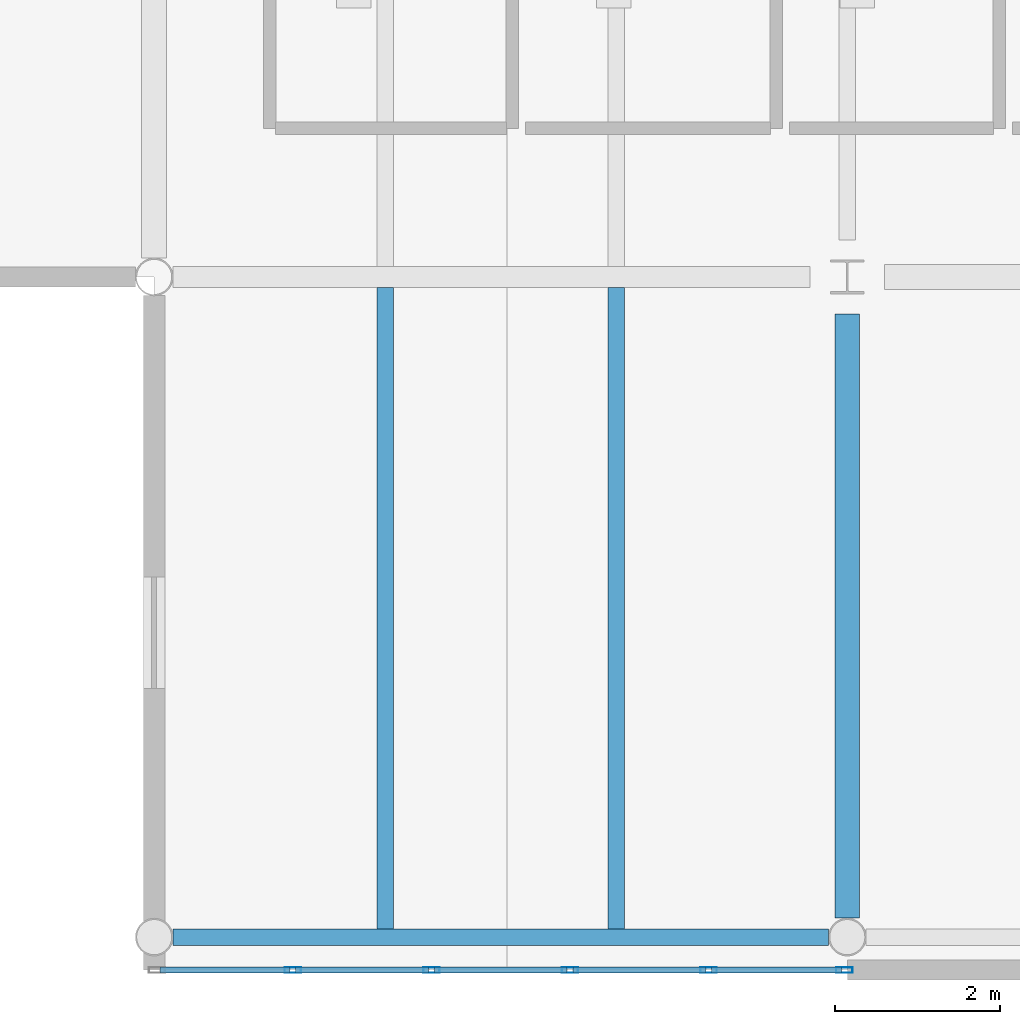
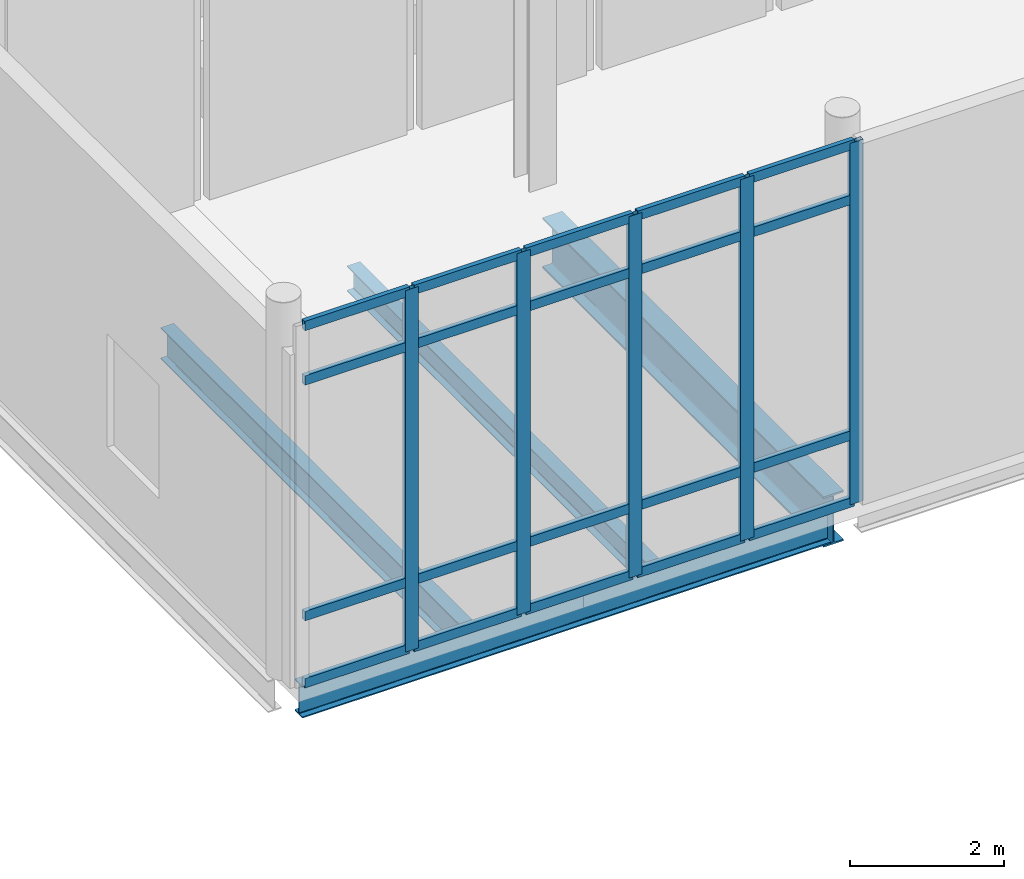
# One storey, part 26 of 85: 25 members, 4 beams, 1 element without a shape of its own.
"""IFC4 building model written with IfcOpenShell, lengths in metres."""

from ifc_helpers import new_model, si_unit, direction, frame, origin, origin_2d, place, context, subcontext, project, spatial, hollow_rectangle, i_section, extrude, material, layer, layer_set, material_profile, profile_set, type_object, element, aggregate, save


model = new_model("IFC4")

# Units and contexts
model_context = context("Model", 3, precision=1e-05, world=origin(), true_north=direction((0.0, 1.0)))
body_context = subcontext(model_context, "Body", "Model", "MODEL_VIEW")
ifc_project = project(units=[si_unit("LENGTHUNIT", "METRE"), si_unit("AREAUNIT", "SQUARE_METRE"), si_unit("VOLUMEUNIT", "CUBIC_METRE"), si_unit("PLANEANGLEUNIT", "RADIAN"), si_unit("MASSUNIT", "GRAM", prefix="KILO"), si_unit("THERMODYNAMICTEMPERATUREUNIT", "KELVIN")], contexts=[model_context])

# Site, building, storey
site_placement = place(None, origin())
site = spatial("IfcSite", under=ifc_project, at=site_placement, CompositionType="ELEMENT")
building_placement = place(site_placement, origin())
building = spatial("IfcBuilding", under=site, at=building_placement, Name="Lustrewick Department Store", CompositionType="ELEMENT")
storey_placement = place(building_placement, origin())
storey = spatial("IfcBuildingStorey", under=building, at=storey_placement, Name="L01", CompositionType="ELEMENT", Elevation=0.0)

# Beams
ifc_material_1 = material(Name="Structural steel Q355B", Category="steel")
ifc_material_profile_1 = material_profile(ifc_material_1, i_section(OverallWidth=0.199951171875, OverallDepth=0.5, WebThickness=0.010009765625, FlangeThickness=0.01611328125, FilletRadius=0.01611328125, at=origin_2d()), Name="HN 500x200x10x16")
ifc_profile_set_1 = profile_set([ifc_material_profile_1], Name="Structural steel Q355B")
beam_type_1 = type_object("IfcBeamType", Name="B01", PredefinedType="JOIST", material=ifc_profile_set_1)
beam_1_placement = place(storey_placement, frame((128.800048828125, 0.50048828125, -0.52001953125), z_axis=(0.0, 1.0, 0.0), x_axis=(-1.0, 0.0, 0.0)))
element("IfcBeam", 1, at=beam_1_placement, inside=storey, type_object=beam_type_1, Name="L01 V3 Secondary Joist B01", PredefinedType="JOIST", context=body_context, shape_type="SweptSolid", body=[
    extrude(i_section(OverallWidth=0.199951171875, OverallDepth=0.5, WebThickness=0.010009765625, FlangeThickness=0.01611328125, FilletRadius=0.01611328125, at=origin_2d()), origin(), (0.0, 0.0, 1.0), 7.7744140625),
])
ifc_material_profile_2 = material_profile(ifc_material_1, i_section(OverallWidth=0.199951171875, OverallDepth=0.39990234375, WebThickness=0.008056640625, FlangeThickness=0.012939453125, FilletRadius=0.013916015625, at=origin_2d()), Name="HN 400x200x8x13")
ifc_profile_set_2 = profile_set([ifc_material_profile_2], Name="Structural steel Q355B")
beam_type_2 = type_object("IfcBeamType", Name="B05", PredefinedType="JOIST", material=ifc_profile_set_2)
beam_2_placement = place(storey_placement, frame((131.60009765625, 0.50048828125, -0.469970703125), z_axis=(0.0, 1.0, 0.0), x_axis=(-1.0, 0.0, 0.0)))
element("IfcBeam", 2, at=beam_2_placement, inside=storey, type_object=beam_type_2, Name="L01 V3 Secondary Joist B05", PredefinedType="JOIST", context=body_context, shape_type="SweptSolid", body=[
    extrude(i_section(OverallWidth=0.199951171875, OverallDepth=0.39990234375, WebThickness=0.008056640625, FlangeThickness=0.012939453125, FilletRadius=0.013916015625, at=origin_2d()), origin(), (0.0, 0.0, 1.0), 7.7744140625),
])

# Curtain wall, members
ifc_material_2 = material(Name="Thermally broken aluminium 6063-T5", Category="aluminium")
ifc_layer = layer(ifc_material_2, 0.199951171875, Name="Thermally broken aluminium 6063-T5")
ifc_layer_set = layer_set([ifc_layer], Name="Thermally broken aluminium 6063-T5")
curtain_wall_type = type_object("IfcCurtainWallType", Name="CW01", PredefinedType="NOTDEFINED", material=ifc_layer_set)
curtain_wall_placement = place(storey_placement, origin())
curtain_wall = element("IfcCurtainWall", 3, at=curtain_wall_placement, inside=storey, type_object=curtain_wall_type, Name="L01 V3 Curtain Wall CW01", PredefinedType="NOTDEFINED")
ifc_material_profile_3 = material_profile(ifc_material_2, hollow_rectangle(XDim=0.070068359375, YDim=0.199951171875, WallThickness=0.00390625, at=origin_2d()), Name="ALU-M 70x200x4")
ifc_profile_set_3 = profile_set([ifc_material_profile_3], Name="Thermally broken aluminium 6063-T5")
member_type_1 = type_object("IfcMemberType", Name="CW01-M1", PredefinedType="MULLION", material=ifc_profile_set_3)
member_1_placement = place(storey_placement, frame((127.679931640625, 0.0, 0.0), z_axis=(0.0, 0.0, 1.0), x_axis=(0.0, 1.0, 0.0)))
member_1 = element("IfcMember", 4, at=member_1_placement, type_object=member_type_1, Name="CW01 mullion 2", PredefinedType="MULLION", context=body_context, shape_type="SweptSolid", body=[
    extrude(hollow_rectangle(XDim=0.070068359375, YDim=0.199951171875, WallThickness=0.00390625, at=origin_2d()), origin(), (0.0, 0.0, 1.0), 5.7451171875),
])
member_2_placement = place(storey_placement, frame((129.360107421875, 0.0, 0.0), z_axis=(0.0, 0.0, 1.0), x_axis=(0.0, 1.0, 0.0)))
member_2 = element("IfcMember", 5, at=member_2_placement, type_object=member_type_1, Name="CW01 mullion 3", PredefinedType="MULLION", context=body_context, shape_type="SweptSolid", body=[
    extrude(hollow_rectangle(XDim=0.070068359375, YDim=0.199951171875, WallThickness=0.00390625, at=origin_2d()), origin(), (0.0, 0.0, 1.0), 5.7451171875),
])
member_3_placement = place(storey_placement, frame((131.0400390625, 0.0, 0.0), z_axis=(0.0, 0.0, 1.0), x_axis=(0.0, 1.0, 0.0)))
member_3 = element("IfcMember", 6, at=member_3_placement, type_object=member_type_1, Name="CW01 mullion 4", PredefinedType="MULLION", context=body_context, shape_type="SweptSolid", body=[
    extrude(hollow_rectangle(XDim=0.070068359375, YDim=0.199951171875, WallThickness=0.00390625, at=origin_2d()), origin(), (0.0, 0.0, 1.0), 5.7451171875),
])
member_4_placement = place(storey_placement, frame((132.719970703125, 0.0, 0.0), z_axis=(0.0, 0.0, 1.0), x_axis=(0.0, 1.0, 0.0)))
member_4 = element("IfcMember", 7, at=member_4_placement, type_object=member_type_1, Name="CW01 mullion 5", PredefinedType="MULLION", context=body_context, shape_type="SweptSolid", body=[
    extrude(hollow_rectangle(XDim=0.070068359375, YDim=0.199951171875, WallThickness=0.00390625, at=origin_2d()), origin(), (0.0, 0.0, 1.0), 5.7451171875),
])
member_5_placement = place(storey_placement, frame((134.364990234375, 0.0, 0.0), z_axis=(0.0, 0.0, 1.0), x_axis=(0.0, 1.0, 0.0)))
member_5 = element("IfcMember", 8, at=member_5_placement, type_object=member_type_1, Name="CW01 mullion 6", PredefinedType="MULLION", context=body_context, shape_type="SweptSolid", body=[
    extrude(hollow_rectangle(XDim=0.070068359375, YDim=0.199951171875, WallThickness=0.00390625, at=origin_2d()), origin(), (0.0, 0.0, 1.0), 5.7451171875),
])
ifc_material_profile_4 = material_profile(ifc_material_2, hollow_rectangle(XDim=0.070068359375, YDim=0.14990234375, WallThickness=0.00390625, at=origin_2d()), Name="ALU-T 70x150x4")
ifc_profile_set_4 = profile_set([ifc_material_profile_4], Name="Thermally broken aluminium 6063-T5")
member_type_2 = type_object("IfcMemberType", Name="CW01-T1", PredefinedType="USERDEFINED", material=ifc_profile_set_4)
member_6_placement = place(storey_placement, frame((126.070068359375, 0.0, 0.034912109375), z_axis=(1.0, 0.0, 0.0), x_axis=(0.0, 1.0, 0.0)))
member_6 = element("IfcMember", 9, at=member_6_placement, type_object=member_type_2, Name="CW01 transom 1.1", ObjectType="TRANSOM", PredefinedType="USERDEFINED", context=body_context, shape_type="SweptSolid", body=[
    extrude(hollow_rectangle(XDim=0.070068359375, YDim=0.14990234375, WallThickness=0.00390625, at=origin_2d()), origin(), (0.0, 0.0, 1.0), 1.574951171875),
])
member_7_placement = place(storey_placement, frame((126.070068359375, 0.0, 1.10009765625), z_axis=(1.0, 0.0, 0.0), x_axis=(0.0, 1.0, 0.0)))
member_7 = element("IfcMember", 10, at=member_7_placement, type_object=member_type_2, Name="CW01 transom 1.2", ObjectType="TRANSOM", PredefinedType="USERDEFINED", context=body_context, shape_type="SweptSolid", body=[
    extrude(hollow_rectangle(XDim=0.070068359375, YDim=0.14990234375, WallThickness=0.00390625, at=origin_2d()), origin(), (0.0, 0.0, 1.0), 1.574951171875),
])
member_8_placement = place(storey_placement, frame((126.070068359375, 0.0, 4.844970703125), z_axis=(1.0, 0.0, 0.0), x_axis=(0.0, 1.0, 0.0)))
member_8 = element("IfcMember", 11, at=member_8_placement, type_object=member_type_2, Name="CW01 transom 1.3", ObjectType="TRANSOM", PredefinedType="USERDEFINED", context=body_context, shape_type="SweptSolid", body=[
    extrude(hollow_rectangle(XDim=0.070068359375, YDim=0.14990234375, WallThickness=0.00390625, at=origin_2d()), origin(), (0.0, 0.0, 1.0), 1.574951171875),
])
member_9_placement = place(storey_placement, frame((126.070068359375, 0.0, 5.7099609375), z_axis=(1.0, 0.0, 0.0), x_axis=(0.0, 1.0, 0.0)))
member_9 = element("IfcMember", 12, at=member_9_placement, type_object=member_type_2, Name="CW01 transom 1.4", ObjectType="TRANSOM", PredefinedType="USERDEFINED", context=body_context, shape_type="SweptSolid", body=[
    extrude(hollow_rectangle(XDim=0.070068359375, YDim=0.14990234375, WallThickness=0.00390625, at=origin_2d()), origin(), (0.0, 0.0, 1.0), 1.574951171875),
])
member_10_placement = place(storey_placement, frame((127.715087890625, 0.0, 0.034912109375), z_axis=(1.0, 0.0, 0.0), x_axis=(0.0, 1.0, 0.0)))
member_10 = element("IfcMember", 13, at=member_10_placement, type_object=member_type_2, Name="CW01 transom 2.1", ObjectType="TRANSOM", PredefinedType="USERDEFINED", context=body_context, shape_type="SweptSolid", body=[
    extrude(hollow_rectangle(XDim=0.070068359375, YDim=0.14990234375, WallThickness=0.00390625, at=origin_2d()), origin(), (0.0, 0.0, 1.0), 1.60986328125),
])
member_11_placement = place(storey_placement, frame((127.715087890625, 0.0, 1.10009765625), z_axis=(1.0, 0.0, 0.0), x_axis=(0.0, 1.0, 0.0)))
member_11 = element("IfcMember", 14, at=member_11_placement, type_object=member_type_2, Name="CW01 transom 2.2", ObjectType="TRANSOM", PredefinedType="USERDEFINED", context=body_context, shape_type="SweptSolid", body=[
    extrude(hollow_rectangle(XDim=0.070068359375, YDim=0.14990234375, WallThickness=0.00390625, at=origin_2d()), origin(), (0.0, 0.0, 1.0), 1.60986328125),
])
member_12_placement = place(storey_placement, frame((127.715087890625, 0.0, 4.844970703125), z_axis=(1.0, 0.0, 0.0), x_axis=(0.0, 1.0, 0.0)))
member_12 = element("IfcMember", 15, at=member_12_placement, type_object=member_type_2, Name="CW01 transom 2.3", ObjectType="TRANSOM", PredefinedType="USERDEFINED", context=body_context, shape_type="SweptSolid", body=[
    extrude(hollow_rectangle(XDim=0.070068359375, YDim=0.14990234375, WallThickness=0.00390625, at=origin_2d()), origin(), (0.0, 0.0, 1.0), 1.60986328125),
])
member_13_placement = place(storey_placement, frame((127.715087890625, 0.0, 5.7099609375), z_axis=(1.0, 0.0, 0.0), x_axis=(0.0, 1.0, 0.0)))
member_13 = element("IfcMember", 16, at=member_13_placement, type_object=member_type_2, Name="CW01 transom 2.4", ObjectType="TRANSOM", PredefinedType="USERDEFINED", context=body_context, shape_type="SweptSolid", body=[
    extrude(hollow_rectangle(XDim=0.070068359375, YDim=0.14990234375, WallThickness=0.00390625, at=origin_2d()), origin(), (0.0, 0.0, 1.0), 1.60986328125),
])
member_14_placement = place(storey_placement, frame((129.39501953125, 0.0, 0.034912109375), z_axis=(1.0, 0.0, 0.0), x_axis=(0.0, 1.0, 0.0)))
member_14 = element("IfcMember", 17, at=member_14_placement, type_object=member_type_2, Name="CW01 transom 3.1", ObjectType="TRANSOM", PredefinedType="USERDEFINED", context=body_context, shape_type="SweptSolid", body=[
    extrude(hollow_rectangle(XDim=0.070068359375, YDim=0.14990234375, WallThickness=0.00390625, at=origin_2d()), origin(), (0.0, 0.0, 1.0), 1.60986328125),
])
member_15_placement = place(storey_placement, frame((129.39501953125, 0.0, 1.10009765625), z_axis=(1.0, 0.0, 0.0), x_axis=(0.0, 1.0, 0.0)))
member_15 = element("IfcMember", 18, at=member_15_placement, type_object=member_type_2, Name="CW01 transom 3.2", ObjectType="TRANSOM", PredefinedType="USERDEFINED", context=body_context, shape_type="SweptSolid", body=[
    extrude(hollow_rectangle(XDim=0.070068359375, YDim=0.14990234375, WallThickness=0.00390625, at=origin_2d()), origin(), (0.0, 0.0, 1.0), 1.60986328125),
])
member_16_placement = place(storey_placement, frame((129.39501953125, 0.0, 4.844970703125), z_axis=(1.0, 0.0, 0.0), x_axis=(0.0, 1.0, 0.0)))
member_16 = element("IfcMember", 19, at=member_16_placement, type_object=member_type_2, Name="CW01 transom 3.3", ObjectType="TRANSOM", PredefinedType="USERDEFINED", context=body_context, shape_type="SweptSolid", body=[
    extrude(hollow_rectangle(XDim=0.070068359375, YDim=0.14990234375, WallThickness=0.00390625, at=origin_2d()), origin(), (0.0, 0.0, 1.0), 1.60986328125),
])
member_17_placement = place(storey_placement, frame((129.39501953125, 0.0, 5.7099609375), z_axis=(1.0, 0.0, 0.0), x_axis=(0.0, 1.0, 0.0)))
member_17 = element("IfcMember", 20, at=member_17_placement, type_object=member_type_2, Name="CW01 transom 3.4", ObjectType="TRANSOM", PredefinedType="USERDEFINED", context=body_context, shape_type="SweptSolid", body=[
    extrude(hollow_rectangle(XDim=0.070068359375, YDim=0.14990234375, WallThickness=0.00390625, at=origin_2d()), origin(), (0.0, 0.0, 1.0), 1.60986328125),
])
member_18_placement = place(storey_placement, frame((131.074951171875, 0.0, 0.034912109375), z_axis=(1.0, 0.0, 0.0), x_axis=(0.0, 1.0, 0.0)))
member_18 = element("IfcMember", 21, at=member_18_placement, type_object=member_type_2, Name="CW01 transom 4.1", ObjectType="TRANSOM", PredefinedType="USERDEFINED", context=body_context, shape_type="SweptSolid", body=[
    extrude(hollow_rectangle(XDim=0.070068359375, YDim=0.14990234375, WallThickness=0.00390625, at=origin_2d()), origin(), (0.0, 0.0, 1.0), 1.610107421875),
])
member_19_placement = place(storey_placement, frame((131.074951171875, 0.0, 1.10009765625), z_axis=(1.0, 0.0, 0.0), x_axis=(0.0, 1.0, 0.0)))
member_19 = element("IfcMember", 22, at=member_19_placement, type_object=member_type_2, Name="CW01 transom 4.2", ObjectType="TRANSOM", PredefinedType="USERDEFINED", context=body_context, shape_type="SweptSolid", body=[
    extrude(hollow_rectangle(XDim=0.070068359375, YDim=0.14990234375, WallThickness=0.00390625, at=origin_2d()), origin(), (0.0, 0.0, 1.0), 1.610107421875),
])
member_20_placement = place(storey_placement, frame((131.074951171875, 0.0, 4.844970703125), z_axis=(1.0, 0.0, 0.0), x_axis=(0.0, 1.0, 0.0)))
member_20 = element("IfcMember", 23, at=member_20_placement, type_object=member_type_2, Name="CW01 transom 4.3", ObjectType="TRANSOM", PredefinedType="USERDEFINED", context=body_context, shape_type="SweptSolid", body=[
    extrude(hollow_rectangle(XDim=0.070068359375, YDim=0.14990234375, WallThickness=0.00390625, at=origin_2d()), origin(), (0.0, 0.0, 1.0), 1.610107421875),
])
member_21_placement = place(storey_placement, frame((131.074951171875, 0.0, 5.7099609375), z_axis=(1.0, 0.0, 0.0), x_axis=(0.0, 1.0, 0.0)))
member_21 = element("IfcMember", 24, at=member_21_placement, type_object=member_type_2, Name="CW01 transom 4.4", ObjectType="TRANSOM", PredefinedType="USERDEFINED", context=body_context, shape_type="SweptSolid", body=[
    extrude(hollow_rectangle(XDim=0.070068359375, YDim=0.14990234375, WallThickness=0.00390625, at=origin_2d()), origin(), (0.0, 0.0, 1.0), 1.610107421875),
])
member_22_placement = place(storey_placement, frame((132.7548828125, 0.0, 0.034912109375), z_axis=(1.0, 0.0, 0.0), x_axis=(0.0, 1.0, 0.0)))
member_22 = element("IfcMember", 25, at=member_22_placement, type_object=member_type_2, Name="CW01 transom 5.1", ObjectType="TRANSOM", PredefinedType="USERDEFINED", context=body_context, shape_type="SweptSolid", body=[
    extrude(hollow_rectangle(XDim=0.070068359375, YDim=0.14990234375, WallThickness=0.00390625, at=origin_2d()), origin(), (0.0, 0.0, 1.0), 1.5751953125),
])
member_23_placement = place(storey_placement, frame((132.7548828125, 0.0, 1.10009765625), z_axis=(1.0, 0.0, 0.0), x_axis=(0.0, 1.0, 0.0)))
member_23 = element("IfcMember", 26, at=member_23_placement, type_object=member_type_2, Name="CW01 transom 5.2", ObjectType="TRANSOM", PredefinedType="USERDEFINED", context=body_context, shape_type="SweptSolid", body=[
    extrude(hollow_rectangle(XDim=0.070068359375, YDim=0.14990234375, WallThickness=0.00390625, at=origin_2d()), origin(), (0.0, 0.0, 1.0), 1.5751953125),
])
member_24_placement = place(storey_placement, frame((132.7548828125, 0.0, 4.844970703125), z_axis=(1.0, 0.0, 0.0), x_axis=(0.0, 1.0, 0.0)))
member_24 = element("IfcMember", 27, at=member_24_placement, type_object=member_type_2, Name="CW01 transom 5.3", ObjectType="TRANSOM", PredefinedType="USERDEFINED", context=body_context, shape_type="SweptSolid", body=[
    extrude(hollow_rectangle(XDim=0.070068359375, YDim=0.14990234375, WallThickness=0.00390625, at=origin_2d()), origin(), (0.0, 0.0, 1.0), 1.5751953125),
])
member_25_placement = place(storey_placement, frame((132.7548828125, 0.0, 5.7099609375), z_axis=(1.0, 0.0, 0.0), x_axis=(0.0, 1.0, 0.0)))
member_25 = element("IfcMember", 28, at=member_25_placement, type_object=member_type_2, Name="CW01 transom 5.4", ObjectType="TRANSOM", PredefinedType="USERDEFINED", context=body_context, shape_type="SweptSolid", body=[
    extrude(hollow_rectangle(XDim=0.070068359375, YDim=0.14990234375, WallThickness=0.00390625, at=origin_2d()), origin(), (0.0, 0.0, 1.0), 1.5751953125),
])
aggregate(curtain_wall, [member_1, member_2, member_3, member_4, member_5, member_6, member_7, member_8, member_9, member_10, member_11, member_12, member_13, member_14, member_15, member_16, member_17, member_18, member_19, member_20, member_21, member_22, member_23, member_24, member_25])

# Beams
ifc_material_profile_5 = material_profile(ifc_material_1, i_section(OverallWidth=0.300048828125, OverallDepth=0.800048828125, WebThickness=0.013916015625, FlangeThickness=0.02587890625, FilletRadius=0.02197265625, at=origin_2d()), Name="HN 800x300x14x26")
ifc_profile_set_5 = profile_set([ifc_material_profile_5], Name="Structural steel Q355B")
beam_type_3 = type_object("IfcBeamType", Name="G05", PredefinedType="BEAM", material=ifc_profile_set_5)
beam_3_placement = place(storey_placement, frame((134.39990234375, 0.62841796875, -0.669921875), z_axis=(0.0, 1.0, 0.0), x_axis=(-1.0, 0.0, 0.0)))
element("IfcBeam", 29, at=beam_3_placement, inside=storey, type_object=beam_type_3, Name="L01 V3 Girder G05", PredefinedType="BEAM", context=body_context, shape_type="SweptSolid", body=[
    extrude(i_section(OverallWidth=0.300048828125, OverallDepth=0.800048828125, WebThickness=0.013916015625, FlangeThickness=0.02587890625, FilletRadius=0.02197265625, at=origin_2d()), origin(), (0.0, 0.0, 1.0), 7.321533203125),
])
ifc_material_profile_6 = material_profile(ifc_material_1, i_section(OverallWidth=0.200927734375, OverallDepth=0.506103515625, WebThickness=0.010986328125, FlangeThickness=0.01904296875, FilletRadius=0.01611328125, at=origin_2d()), Name="HN 506x201x11x19")
ifc_profile_set_6 = profile_set([ifc_material_profile_6], Name="Structural steel Q355B")
beam_type_4 = type_object("IfcBeamType", Name="SP01", PredefinedType="SPANDREL", material=ifc_profile_set_6)
beam_4_placement = place(storey_placement, frame((126.228515625, 0.39990234375, -0.52294921875), z_axis=(1.0, 0.0, 0.0), x_axis=(0.0, 1.0, 0.0)))
element("IfcBeam", 30, at=beam_4_placement, inside=storey, type_object=beam_type_4, Name="L01 V3 Girder SP01", PredefinedType="SPANDREL", context=body_context, shape_type="SweptSolid", body=[
    extrude(i_section(OverallWidth=0.200927734375, OverallDepth=0.506103515625, WebThickness=0.010986328125, FlangeThickness=0.01904296875, FilletRadius=0.01611328125, at=origin_2d()), origin(), (0.0, 0.0, 1.0), 7.94287109375),
])

save(model, "model.ifc")
